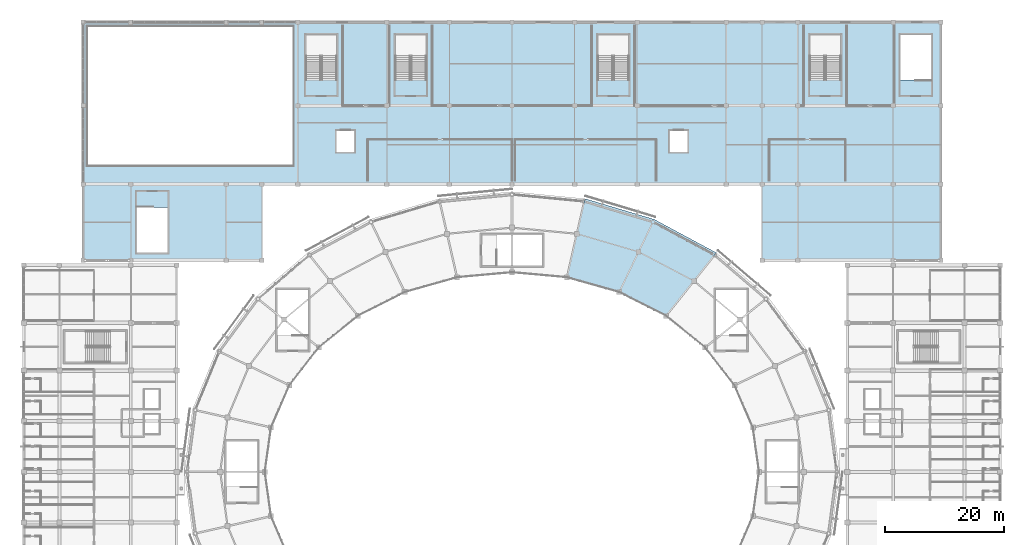
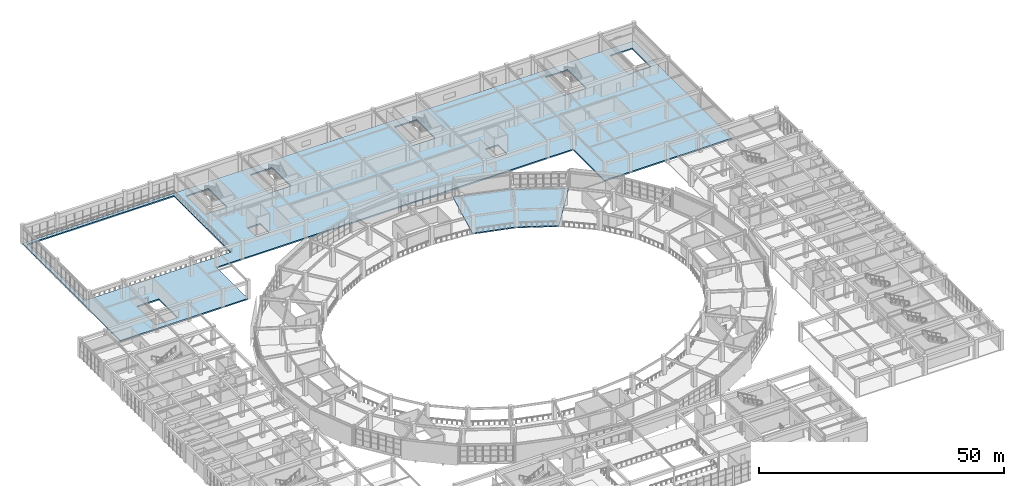
# One storey, part 72 of 112: 2 slabs.
"""IFC4 building model written with IfcOpenShell, lengths in metres."""

from ifc_helpers import new_model, si_unit, direction, frame, origin, place, context, subcontext, project, spatial, polyline, outline, extrude, material, layer, layer_set, type_object, element, save


model = new_model("IFC4")

# Units and contexts
model_context = context("Model", 3, precision=1e-05, world=origin(), true_north=direction((0.0, 1.0)))
body_context = subcontext(model_context, "Body", "Model", "MODEL_VIEW")
ifc_project = project(units=[si_unit("LENGTHUNIT", "METRE"), si_unit("AREAUNIT", "SQUARE_METRE"), si_unit("VOLUMEUNIT", "CUBIC_METRE"), si_unit("PLANEANGLEUNIT", "RADIAN"), si_unit("MASSUNIT", "GRAM", prefix="KILO")], contexts=[model_context])

# Site, building, storey
site_placement = place(None, origin())
site = spatial("IfcSite", under=ifc_project, at=site_placement, CompositionType="ELEMENT")
building_placement = place(site_placement, origin())
building = spatial("IfcBuilding", under=site, at=building_placement, Name="Cuetzalor Civic Arena", CompositionType="ELEMENT")
storey_placement = place(building_placement, frame((0.0, 0.0, 11.39990234375)))
storey = spatial("IfcBuildingStorey", under=building, at=storey_placement, Name="L02", CompositionType="ELEMENT", Elevation=11.39990234375)

# Slabs
ifc_material_1 = material(Name="Concrete C35/45", Category="concrete")
ifc_layer_1 = layer(ifc_material_1, 0.320068359375)
ifc_layer_set_1 = layer_set([ifc_layer_1], Name="Concrete C35/45")
slab_type_1 = type_object("IfcSlabType", Name="PlantHeavyFloorSlab_320", PredefinedType="FLOOR", material=ifc_layer_set_1)
slab_1_placement = place(storey_placement, frame((0.0, 0.0, -0.31982421875)))
element("IfcSlab", 1, at=slab_1_placement, inside=storey, type_object=slab_type_1, Name="North Wing Floor Slab L02", PredefinedType="FLOOR", context=body_context, shape_type="SweptSolid", body=[
    extrude(outline(polyline([(-72.0, 75.5), (72.0, 75.5), (72.0, 35.5), (42.0, 35.5), (42.0, 48.300048828125), (-42.0, 48.300048828125), (-42.0, 35.5), (-72.0, 35.5), (-72.0, 75.5)]), holes=[polyline([(-36.800048828125, 51.5), (-36.800048828125, 74.699951171875), (-71.199951171875, 74.699951171875), (-71.199951171875, 51.5), (-36.800048828125, 51.5)]), polyline([(-63.0, 36.800048828125), (-57.800048828125, 36.800048828125), (-57.800048828125, 44.39990234375), (-63.0, 44.39990234375), (-63.0, 36.800048828125)]), polyline([(-34.60009765625, 73.39990234375), (-34.60009765625, 65.800048828125), (-29.39990234375, 65.800048828125), (-29.39990234375, 73.39990234375), (-34.60009765625, 73.39990234375)]), polyline([(-14.39990234375, 73.39990234375), (-19.60009765625, 73.39990234375), (-19.60009765625, 65.800048828125), (-14.39990234375, 65.800048828125), (-14.39990234375, 73.39990234375)]), polyline([(19.60009765625, 65.800048828125), (19.60009765625, 73.39990234375), (14.39990234375, 73.39990234375), (14.39990234375, 65.800048828125), (19.60009765625, 65.800048828125)]), polyline([(50.0, 65.800048828125), (55.199951171875, 65.800048828125), (55.199951171875, 73.39990234375), (50.0, 73.39990234375), (50.0, 65.800048828125)]), polyline([(65.199951171875, 73.39990234375), (65.199951171875, 65.800048828125), (70.39990234375, 65.800048828125), (70.39990234375, 73.39990234375), (65.199951171875, 73.39990234375)]), polyline([(-26.5, 57.300048828125), (-29.5, 57.300048828125), (-29.5, 53.699951171875), (-26.5, 53.699951171875), (-26.5, 57.300048828125)]), polyline([(29.5, 53.699951171875), (29.5, 57.300048828125), (26.5, 57.300048828125), (26.5, 53.699951171875), (29.5, 53.699951171875)])]), origin(), (0.0, 0.0, 1.0), 0.31982421875),
])
ifc_material_2 = material(Name="Concrete C35/45", Category="concrete")
ifc_layer_2 = layer(ifc_material_2, 0.280029296875)
ifc_layer_set_2 = layer_set([ifc_layer_2], Name="Concrete C35/45")
slab_type_2 = type_object("IfcSlabType", Name="SuspendedFloorSlab_280", PredefinedType="FLOOR", material=ifc_layer_set_2)
slab_2_placement = place(storey_placement, frame((0.0, 0.0, -0.27978515625)))
element("IfcSlab", 2, at=slab_2_placement, inside=storey, type_object=slab_type_2, Name="Arena Concourse Sector Slab L02-03", PredefinedType="FLOOR", context=body_context, shape_type="SweptSolid", body=[
    extrude(outline(polyline([(25.874755859375, 26.19140625), (18.006103515625, 30.1826171875), (9.234619140625, 32.66015625), (12.249755859375, 45.870361328125), (23.88525390625, 42.390625), (34.322998046875, 36.78515625), (25.874755859375, 26.19140625)])), origin(), (0.0, 0.0, 1.0), 0.27978515625),
])

save(model, "model.ifc")
